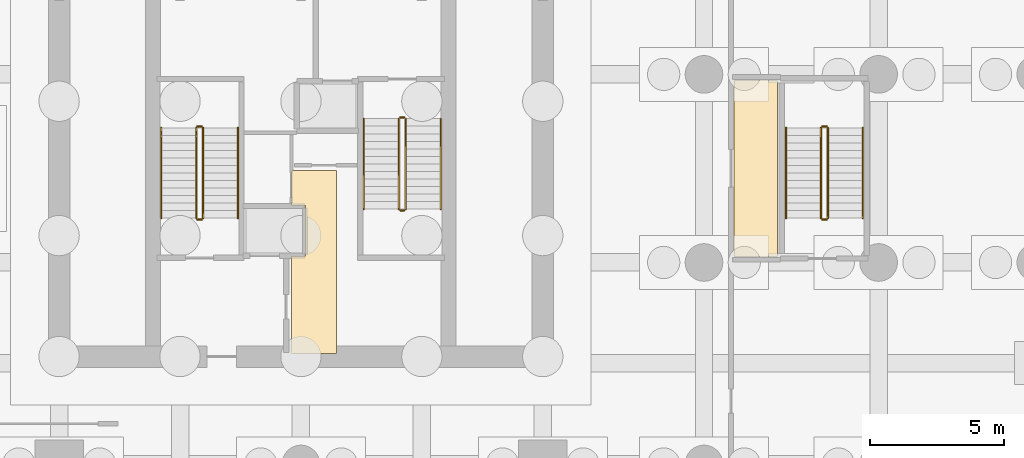
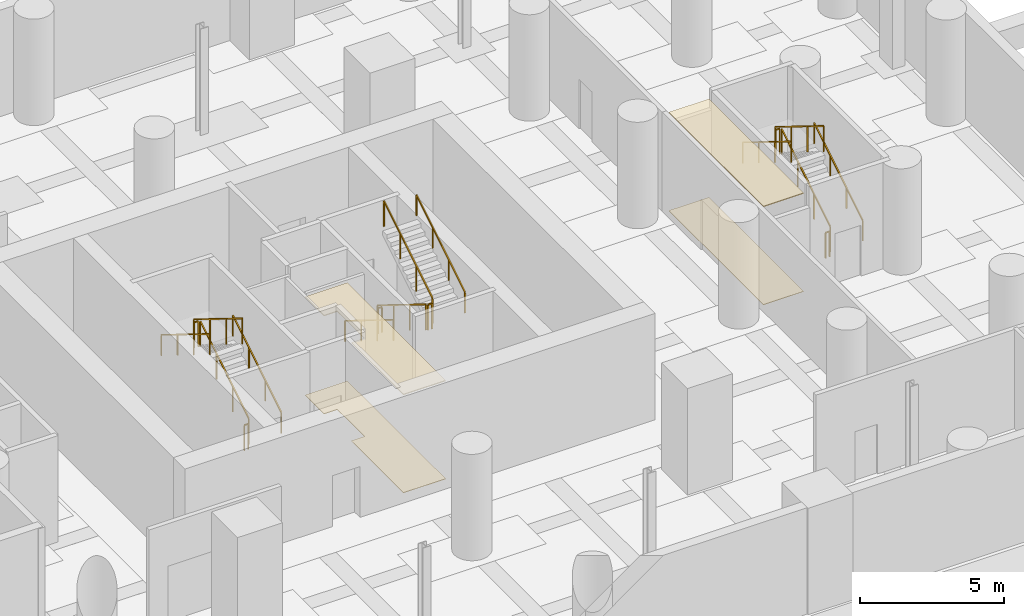
# One storey, part 11 of 12: 18 railings, 4 coverings.
"""IFC4 building model written with IfcOpenShell, lengths in metres."""

from ifc_helpers import new_model, si_unit, direction, frame, origin, origin_2d, place, context, subcontext, project, spatial, polyline, rectangle, outline, extrude, material, layer, layer_set, type_object, element, save


model = new_model("IFC4")

# Units and contexts
model_context = context("Model", 3, precision=1e-05, world=origin(), true_north=direction((0.0, 1.0)))
body_context = subcontext(model_context, "Body", "Model", "MODEL_VIEW")
ifc_project = project(units=[si_unit("LENGTHUNIT", "METRE"), si_unit("AREAUNIT", "SQUARE_METRE"), si_unit("VOLUMEUNIT", "CUBIC_METRE"), si_unit("PLANEANGLEUNIT", "RADIAN"), si_unit("MASSUNIT", "GRAM", prefix="KILO")], contexts=[model_context])

# Site, building, storey
site_placement = place(None, origin())
site = spatial("IfcSite", under=ifc_project, at=site_placement, CompositionType="ELEMENT")
building_placement = place(site_placement, origin())
building = spatial("IfcBuilding", under=site, at=building_placement, Name="Veldorim Arch Residences", CompositionType="ELEMENT")
storey_placement = place(building_placement, frame((0.0, 0.0, -9.0)))
storey = spatial("IfcBuildingStorey", under=building, at=storey_placement, Name="B2", CompositionType="ELEMENT", Elevation=-9.0)

# Railings
ifc_material_1 = material(Name="Steel S355", Category="steel")
railing_type_1 = type_object("IfcRailingType", Name="Galvanised Steel Stair Safety Guardrail 1100", PredefinedType="GUARDRAIL", material=ifc_material_1)
railing_1_placement = place(storey_placement, frame((28.360107421875, 22.14990234375, 0.173095703125)))
element("IfcRailing", 1, at=railing_1_placement, inside=storey, type_object=railing_type_1, Name="B2 ST-1 stair guard 1", PredefinedType="GUARDRAIL", context=body_context, shape_type="SweptSolid", body=[
    extrude(rectangle(XDim=0.048095703125, YDim=0.048095703125, at=origin_2d()), frame((0.0, 0.0, 1.076171875), z_axis=(0.0, 0.850623216509, 0.525775754039), x_axis=(-1.0, 0.0, 0.0)), (0.0, 0.0, 1.0), 3.9501953125),
    extrude(rectangle(XDim=0.0419921875, YDim=0.0419921875, at=origin_2d()), origin(), (0.0, 0.0, 1.0), 1.052001953125),
    extrude(rectangle(XDim=0.0419921875, YDim=0.0419921875, at=origin_2d()), frame((0.0, 1.1201171875, 0.6923828125)), (0.0, 0.0, 1.0), 1.052001953125),
    extrude(rectangle(XDim=0.0419921875, YDim=0.0419921875, at=origin_2d()), frame((0.0, 2.239990234375, 1.384521484375)), (0.0, 0.0, 1.0), 1.052001953125),
    extrude(rectangle(XDim=0.0419921875, YDim=0.0419921875, at=origin_2d()), frame((0.0, 3.360107421875, 2.076904296875)), (0.0, 0.0, 1.0), 1.052001953125),
])
railing_2_placement = place(storey_placement, frame((28.31005859375, 25.56005859375, 2.25)))
element("IfcRailing", 2, at=railing_2_placement, inside=storey, type_object=railing_type_1, Name="B2 ST-1 stair guard 2", PredefinedType="GUARDRAIL", context=body_context, shape_type="SweptSolid", body=[
    extrude(rectangle(XDim=0.048095703125, YDim=0.048095703125, at=origin_2d()), frame((0.0, 0.0, 1.076171875), z_axis=(-1.0, 0.0, 0.0), x_axis=(0.0, -1.0, 0.0)), (0.0, 0.0, 1.0), 0.16015625),
    extrude(rectangle(XDim=0.0419921875, YDim=0.0419921875, at=origin_2d()), origin(), (0.0, 0.0, 1.0), 1.052001953125),
    extrude(rectangle(XDim=0.0419921875, YDim=0.0419921875, at=origin_2d()), frame((-0.16015625, 0.0, 0.0)), (0.0, 0.0, 1.0), 1.052001953125),
])
railing_3_placement = place(storey_placement, frame((28.10009765625, 25.510009765625, 2.423095703125)))
element("IfcRailing", 3, at=railing_3_placement, inside=storey, type_object=railing_type_1, Name="B2 ST-1 stair guard 3", PredefinedType="GUARDRAIL", context=body_context, shape_type="SweptSolid", body=[
    extrude(rectangle(XDim=0.048095703125, YDim=0.048095703125, at=origin_2d()), frame((0.0, 0.0, 1.076171875), z_axis=(0.0, -0.850623216509, 0.525775754039), x_axis=(1.0, 0.0, 0.0)), (0.0, 0.0, 1.0), 3.9501953125),
    extrude(rectangle(XDim=0.0419921875, YDim=0.0419921875, at=origin_2d()), origin(), (0.0, 0.0, 1.0), 1.052001953125),
    extrude(rectangle(XDim=0.0419921875, YDim=0.0419921875, at=origin_2d()), frame((0.0, -1.1201171875, 0.6923828125)), (0.0, 0.0, 1.0), 1.052001953125),
    extrude(rectangle(XDim=0.0419921875, YDim=0.0419921875, at=origin_2d()), frame((0.0, -2.239990234375, 1.384521484375)), (0.0, 0.0, 1.0), 1.052001953125),
    extrude(rectangle(XDim=0.0419921875, YDim=0.0419921875, at=origin_2d()), frame((0.0, -3.360107421875, 2.076904296875)), (0.0, 0.0, 1.0), 1.052001953125),
])
railing_4_placement = place(storey_placement, frame((28.31005859375, 22.10009765625, 0.0)))
element("IfcRailing", 4, at=railing_4_placement, inside=storey, type_object=railing_type_1, Name="B2 ST-1 stair guard 4", PredefinedType="GUARDRAIL", context=body_context, shape_type="SweptSolid", body=[
    extrude(rectangle(XDim=0.048095703125, YDim=0.048095703125, at=origin_2d()), frame((0.0, 0.0, 1.076171875), z_axis=(-1.0, 0.0, 0.0), x_axis=(0.0, -1.0, 0.0)), (0.0, 0.0, 1.0), 0.16015625),
    extrude(rectangle(XDim=0.0419921875, YDim=0.0419921875, at=origin_2d()), origin(), (0.0, 0.0, 1.0), 1.052001953125),
    extrude(rectangle(XDim=0.0419921875, YDim=0.0419921875, at=origin_2d()), frame((-0.16015625, 0.0, 0.0)), (0.0, 0.0, 1.0), 1.052001953125),
])
railing_5_placement = place(storey_placement, frame((35.639892578125, 25.85009765625, 0.173095703125)))
element("IfcRailing", 5, at=railing_5_placement, inside=storey, type_object=railing_type_1, Name="B2 ST-2 stair guard 1", PredefinedType="GUARDRAIL", context=body_context, shape_type="SweptSolid", body=[
    extrude(rectangle(XDim=0.048095703125, YDim=0.048095703125, at=origin_2d()), frame((0.0, 0.0, 1.076171875), z_axis=(0.0, -0.850623216509, 0.525775754039), x_axis=(1.0, 0.0, 0.0)), (0.0, 0.0, 1.0), 3.9501953125),
    extrude(rectangle(XDim=0.0419921875, YDim=0.0419921875, at=origin_2d()), origin(), (0.0, 0.0, 1.0), 1.052001953125),
    extrude(rectangle(XDim=0.0419921875, YDim=0.0419921875, at=origin_2d()), frame((0.0, -1.1201171875, 0.6923828125)), (0.0, 0.0, 1.0), 1.052001953125),
    extrude(rectangle(XDim=0.0419921875, YDim=0.0419921875, at=origin_2d()), frame((0.0, -2.239990234375, 1.384521484375)), (0.0, 0.0, 1.0), 1.052001953125),
    extrude(rectangle(XDim=0.0419921875, YDim=0.0419921875, at=origin_2d()), frame((0.0, -3.360107421875, 2.076904296875)), (0.0, 0.0, 1.0), 1.052001953125),
])
railing_6_placement = place(storey_placement, frame((35.68994140625, 22.43994140625, 2.25)))
element("IfcRailing", 6, at=railing_6_placement, inside=storey, type_object=railing_type_1, Name="B2 ST-2 stair guard 2", PredefinedType="GUARDRAIL", context=body_context, shape_type="SweptSolid", body=[
    extrude(rectangle(XDim=0.048095703125, YDim=0.048095703125, at=origin_2d()), frame((0.0, 0.0, 1.076171875), z_axis=(1.0, 0.0, 0.0), x_axis=(0.0, 1.0, 0.0)), (0.0, 0.0, 1.0), 0.16015625),
    extrude(rectangle(XDim=0.0419921875, YDim=0.0419921875, at=origin_2d()), origin(), (0.0, 0.0, 1.0), 1.052001953125),
    extrude(rectangle(XDim=0.0419921875, YDim=0.0419921875, at=origin_2d()), frame((0.16015625, 0.0, 0.0)), (0.0, 0.0, 1.0), 1.052001953125),
])
railing_7_placement = place(storey_placement, frame((35.89990234375, 22.489990234375, 2.423095703125)))
element("IfcRailing", 7, at=railing_7_placement, inside=storey, type_object=railing_type_1, Name="B2 ST-2 stair guard 3", PredefinedType="GUARDRAIL", context=body_context, shape_type="SweptSolid", body=[
    extrude(rectangle(XDim=0.048095703125, YDim=0.048095703125, at=origin_2d()), frame((0.0, 0.0, 1.076171875), z_axis=(0.0, 0.850623216509, 0.525775754039), x_axis=(-1.0, 0.0, 0.0)), (0.0, 0.0, 1.0), 3.9501953125),
    extrude(rectangle(XDim=0.0419921875, YDim=0.0419921875, at=origin_2d()), origin(), (0.0, 0.0, 1.0), 1.052001953125),
    extrude(rectangle(XDim=0.0419921875, YDim=0.0419921875, at=origin_2d()), frame((0.0, 1.1201171875, 0.6923828125)), (0.0, 0.0, 1.0), 1.052001953125),
    extrude(rectangle(XDim=0.0419921875, YDim=0.0419921875, at=origin_2d()), frame((0.0, 2.239990234375, 1.384521484375)), (0.0, 0.0, 1.0), 1.052001953125),
    extrude(rectangle(XDim=0.0419921875, YDim=0.0419921875, at=origin_2d()), frame((0.0, 3.360107421875, 2.076904296875)), (0.0, 0.0, 1.0), 1.052001953125),
])
railing_8_placement = place(storey_placement, frame((35.68994140625, 25.89990234375, 0.0)))
element("IfcRailing", 8, at=railing_8_placement, inside=storey, type_object=railing_type_1, Name="B2 ST-2 stair guard 4", PredefinedType="GUARDRAIL", context=body_context, shape_type="SweptSolid", body=[
    extrude(rectangle(XDim=0.048095703125, YDim=0.048095703125, at=origin_2d()), frame((0.0, 0.0, 1.076171875), z_axis=(1.0, 0.0, 0.0), x_axis=(0.0, 1.0, 0.0)), (0.0, 0.0, 1.0), 0.16015625),
    extrude(rectangle(XDim=0.0419921875, YDim=0.0419921875, at=origin_2d()), origin(), (0.0, 0.0, 1.0), 1.052001953125),
    extrude(rectangle(XDim=0.0419921875, YDim=0.0419921875, at=origin_2d()), frame((0.16015625, 0.0, 0.0)), (0.0, 0.0, 1.0), 1.052001953125),
])
railing_9_placement = place(storey_placement, frame((51.610107421875, 22.14990234375, 0.173095703125)))
element("IfcRailing", 9, at=railing_9_placement, inside=storey, type_object=railing_type_1, Name="B2 ST-3 stair guard 1", PredefinedType="GUARDRAIL", context=body_context, shape_type="SweptSolid", body=[
    extrude(rectangle(XDim=0.048095703125, YDim=0.048095703125, at=origin_2d()), frame((0.0, 0.0, 1.076171875), z_axis=(0.0, 0.850623216509, 0.525775754039), x_axis=(-1.0, 0.0, 0.0)), (0.0, 0.0, 1.0), 3.9501953125),
    extrude(rectangle(XDim=0.0419921875, YDim=0.0419921875, at=origin_2d()), origin(), (0.0, 0.0, 1.0), 1.052001953125),
    extrude(rectangle(XDim=0.0419921875, YDim=0.0419921875, at=origin_2d()), frame((0.0, 1.1201171875, 0.6923828125)), (0.0, 0.0, 1.0), 1.052001953125),
    extrude(rectangle(XDim=0.0419921875, YDim=0.0419921875, at=origin_2d()), frame((0.0, 2.239990234375, 1.384521484375)), (0.0, 0.0, 1.0), 1.052001953125),
    extrude(rectangle(XDim=0.0419921875, YDim=0.0419921875, at=origin_2d()), frame((0.0, 3.360107421875, 2.076904296875)), (0.0, 0.0, 1.0), 1.052001953125),
])
railing_10_placement = place(storey_placement, frame((51.56005859375, 25.56005859375, 2.25)))
element("IfcRailing", 10, at=railing_10_placement, inside=storey, type_object=railing_type_1, Name="B2 ST-3 stair guard 2", PredefinedType="GUARDRAIL", context=body_context, shape_type="SweptSolid", body=[
    extrude(rectangle(XDim=0.048095703125, YDim=0.048095703125, at=origin_2d()), frame((0.0, 0.0, 1.076171875), z_axis=(-1.0, 0.0, 0.0), x_axis=(0.0, -1.0, 0.0)), (0.0, 0.0, 1.0), 0.16015625),
    extrude(rectangle(XDim=0.0419921875, YDim=0.0419921875, at=origin_2d()), origin(), (0.0, 0.0, 1.0), 1.052001953125),
    extrude(rectangle(XDim=0.0419921875, YDim=0.0419921875, at=origin_2d()), frame((-0.16015625, 0.0, 0.0)), (0.0, 0.0, 1.0), 1.052001953125),
])
railing_11_placement = place(storey_placement, frame((51.35009765625, 25.510009765625, 2.423095703125)))
element("IfcRailing", 11, at=railing_11_placement, inside=storey, type_object=railing_type_1, Name="B2 ST-3 stair guard 3", PredefinedType="GUARDRAIL", context=body_context, shape_type="SweptSolid", body=[
    extrude(rectangle(XDim=0.048095703125, YDim=0.048095703125, at=origin_2d()), frame((0.0, 0.0, 1.076171875), z_axis=(0.0, -0.850623216509, 0.525775754039), x_axis=(1.0, 0.0, 0.0)), (0.0, 0.0, 1.0), 3.9501953125),
    extrude(rectangle(XDim=0.0419921875, YDim=0.0419921875, at=origin_2d()), origin(), (0.0, 0.0, 1.0), 1.052001953125),
    extrude(rectangle(XDim=0.0419921875, YDim=0.0419921875, at=origin_2d()), frame((0.0, -1.1201171875, 0.6923828125)), (0.0, 0.0, 1.0), 1.052001953125),
    extrude(rectangle(XDim=0.0419921875, YDim=0.0419921875, at=origin_2d()), frame((0.0, -2.239990234375, 1.384521484375)), (0.0, 0.0, 1.0), 1.052001953125),
    extrude(rectangle(XDim=0.0419921875, YDim=0.0419921875, at=origin_2d()), frame((0.0, -3.360107421875, 2.076904296875)), (0.0, 0.0, 1.0), 1.052001953125),
])
railing_12_placement = place(storey_placement, frame((51.56005859375, 22.10009765625, 0.0)))
element("IfcRailing", 12, at=railing_12_placement, inside=storey, type_object=railing_type_1, Name="B2 ST-3 stair guard 4", PredefinedType="GUARDRAIL", context=body_context, shape_type="SweptSolid", body=[
    extrude(rectangle(XDim=0.048095703125, YDim=0.048095703125, at=origin_2d()), frame((0.0, 0.0, 1.076171875), z_axis=(-1.0, 0.0, 0.0), x_axis=(0.0, -1.0, 0.0)), (0.0, 0.0, 1.0), 0.16015625),
    extrude(rectangle(XDim=0.0419921875, YDim=0.0419921875, at=origin_2d()), origin(), (0.0, 0.0, 1.0), 1.052001953125),
    extrude(rectangle(XDim=0.0419921875, YDim=0.0419921875, at=origin_2d()), frame((-0.16015625, 0.0, 0.0)), (0.0, 0.0, 1.0), 1.052001953125),
])

# Coverings
ifc_material_2 = material(Name="Acoustic Gypsum & Mineral Fibre", Category="gypsum")
ifc_layer_1 = layer(ifc_material_2, 0.034912109375, Name="Perforated Acoustic Mineral-Fibre Ceiling 35")
ifc_layer_set_1 = layer_set([ifc_layer_1], Name="Acoustic Gypsum & Mineral Fibre")
covering_type_1 = type_object("IfcCoveringType", Name="Perforated Acoustic Mineral-Fibre Ceiling 35", PredefinedType="CEILING", material=ifc_layer_set_1)
covering_1_placement = place(storey_placement, frame((0.0, 0.0, 4.14501953125)))
element("IfcCovering", 13, at=covering_1_placement, inside=storey, type_object=covering_type_1, Name="B2 acoustic suspended ceiling 01", PredefinedType="CEILING", context=body_context, shape_type="SweptSolid", body=[
    extrude(outline(polyline([(33.330078125, 23.929931640625), (33.330078125, 17.1201171875), (31.639892578125, 17.1201171875), (31.639892578125, 20.735107421875), (32.169921875, 20.735107421875), (32.169921875, 22.625), (31.639892578125, 22.625), (31.639892578125, 23.929931640625), (33.330078125, 23.929931640625)])), origin(), (0.0, 0.0, 1.0), 0.034912109375),
])
covering_2_placement = place(storey_placement, frame((0.0, 0.0, 4.14501953125)))
element("IfcCovering", 14, at=covering_2_placement, inside=storey, type_object=covering_type_1, Name="B2 acoustic suspended ceiling 02", PredefinedType="CEILING", context=body_context, shape_type="SweptSolid", body=[
    extrude(outline(polyline([(49.72998046875, 20.719970703125), (48.1201171875, 20.719970703125), (48.1201171875, 27.280029296875), (49.72998046875, 27.280029296875), (49.72998046875, 20.719970703125)])), origin(), (0.0, 0.0, 1.0), 0.034912109375),
])
ifc_material_3 = material(Name="Porcelain Ceramic Tile", Category="ceramic")
ifc_layer_2 = layer(ifc_material_3, 0.02001953125, Name="Slip-Resistant Porcelain & Vinyl Floor Finish 20")
ifc_layer_set_2 = layer_set([ifc_layer_2], Name="Porcelain Ceramic Tile")
covering_type_2 = type_object("IfcCoveringType", Name="Slip-Resistant Porcelain & Vinyl Floor Finish 20", PredefinedType="FLOORING", material=ifc_layer_set_2)
covering_3_placement = place(storey_placement, origin())
element("IfcCovering", 15, at=covering_3_placement, inside=storey, type_object=covering_type_2, Name="B2 porcelain floor finish 01", PredefinedType="FLOORING", context=body_context, shape_type="SweptSolid", body=[
    extrude(outline(polyline([(33.330078125, 23.929931640625), (33.330078125, 17.1201171875), (31.639892578125, 17.1201171875), (31.639892578125, 20.735107421875), (32.169921875, 20.735107421875), (32.169921875, 22.625), (31.639892578125, 22.625), (31.639892578125, 23.929931640625), (33.330078125, 23.929931640625)])), origin(), (0.0, 0.0, 1.0), 0.02001953125),
])
covering_4_placement = place(storey_placement, origin())
element("IfcCovering", 16, at=covering_4_placement, inside=storey, type_object=covering_type_2, Name="B2 porcelain floor finish 02", PredefinedType="FLOORING", context=body_context, shape_type="SweptSolid", body=[
    extrude(outline(polyline([(49.72998046875, 20.719970703125), (48.1201171875, 20.719970703125), (48.1201171875, 27.280029296875), (49.72998046875, 27.280029296875), (49.72998046875, 20.719970703125)])), origin(), (0.0, 0.0, 1.0), 0.02001953125),
])

# Railings
ifc_material_4 = material(Name="Stainless Steel", Category="steel")
railing_type_2 = type_object("IfcRailingType", Name="Tubular Steel Continuous Wall Handrail 900", PredefinedType="HANDRAIL", material=ifc_material_4)
railing_13_placement = place(storey_placement, frame((29.659912109375, 22.14990234375, 0.173095703125)))
element("IfcRailing", 17, at=railing_13_placement, inside=storey, type_object=railing_type_2, Name="B2 ST-1 stair handrail 1", PredefinedType="HANDRAIL", context=body_context, shape_type="SweptSolid", body=[
    extrude(rectangle(XDim=0.048095703125, YDim=0.048095703125, at=origin_2d()), frame((0.0, 0.0, 0.8759765625), z_axis=(0.0, 0.850623216509, 0.525775754039), x_axis=(-1.0, 0.0, 0.0)), (0.0, 0.0, 1.0), 3.9501953125),
    extrude(rectangle(XDim=0.0419921875, YDim=0.0419921875, at=origin_2d()), origin(), (0.0, 0.0, 1.0), 0.851806640625),
    extrude(rectangle(XDim=0.0419921875, YDim=0.0419921875, at=origin_2d()), frame((0.0, 1.1201171875, 0.6923828125)), (0.0, 0.0, 1.0), 0.851806640625),
    extrude(rectangle(XDim=0.0419921875, YDim=0.0419921875, at=origin_2d()), frame((0.0, 2.239990234375, 1.384521484375)), (0.0, 0.0, 1.0), 0.851806640625),
    extrude(rectangle(XDim=0.0419921875, YDim=0.0419921875, at=origin_2d()), frame((0.0, 3.360107421875, 2.076904296875)), (0.0, 0.0, 1.0), 0.851806640625),
])
for number, where, name in (
    (18, (26.800048828125, 25.510009765625, 2.423095703125), "B2 ST-1 stair handrail 2"),
    (19, (34.340087890625, 25.85009765625, 0.173095703125), "B2 ST-2 stair handrail 1"),
):
    element("IfcRailing", number, at=place(storey_placement, frame(where)), inside=storey, type_object=railing_type_2, Name=name, PredefinedType="HANDRAIL", context=body_context, shape_type="SweptSolid", body=[
        extrude(rectangle(XDim=0.048095703125, YDim=0.048095703125, at=origin_2d()), frame((0.0, 0.0, 0.8759765625), z_axis=(0.0, -0.850623216509, 0.525775754039), x_axis=(1.0, 0.0, 0.0)), (0.0, 0.0, 1.0), 3.9501953125),
        extrude(rectangle(XDim=0.0419921875, YDim=0.0419921875, at=origin_2d()), origin(), (0.0, 0.0, 1.0), 0.851806640625),
        extrude(rectangle(XDim=0.0419921875, YDim=0.0419921875, at=origin_2d()), frame((0.0, -1.1201171875, 0.6923828125)), (0.0, 0.0, 1.0), 0.851806640625),
        extrude(rectangle(XDim=0.0419921875, YDim=0.0419921875, at=origin_2d()), frame((0.0, -2.239990234375, 1.384521484375)), (0.0, 0.0, 1.0), 0.851806640625),
        extrude(rectangle(XDim=0.0419921875, YDim=0.0419921875, at=origin_2d()), frame((0.0, -3.360107421875, 2.076904296875)), (0.0, 0.0, 1.0), 0.851806640625),
    ])
for number, where, name in (
    (20, (37.199951171875, 22.489990234375, 2.423095703125), "B2 ST-2 stair handrail 2"),
    (21, (52.909912109375, 22.14990234375, 0.173095703125), "B2 ST-3 stair handrail 1"),
):
    element("IfcRailing", number, at=place(storey_placement, frame(where)), inside=storey, type_object=railing_type_2, Name=name, PredefinedType="HANDRAIL", context=body_context, shape_type="SweptSolid", body=[
        extrude(rectangle(XDim=0.048095703125, YDim=0.048095703125, at=origin_2d()), frame((0.0, 0.0, 0.8759765625), z_axis=(0.0, 0.850623216509, 0.525775754039), x_axis=(-1.0, 0.0, 0.0)), (0.0, 0.0, 1.0), 3.9501953125),
        extrude(rectangle(XDim=0.0419921875, YDim=0.0419921875, at=origin_2d()), origin(), (0.0, 0.0, 1.0), 0.851806640625),
        extrude(rectangle(XDim=0.0419921875, YDim=0.0419921875, at=origin_2d()), frame((0.0, 1.1201171875, 0.6923828125)), (0.0, 0.0, 1.0), 0.851806640625),
        extrude(rectangle(XDim=0.0419921875, YDim=0.0419921875, at=origin_2d()), frame((0.0, 2.239990234375, 1.384521484375)), (0.0, 0.0, 1.0), 0.851806640625),
        extrude(rectangle(XDim=0.0419921875, YDim=0.0419921875, at=origin_2d()), frame((0.0, 3.360107421875, 2.076904296875)), (0.0, 0.0, 1.0), 0.851806640625),
    ])
railing_14_placement = place(storey_placement, frame((50.050048828125, 25.510009765625, 2.423095703125)))
element("IfcRailing", 22, at=railing_14_placement, inside=storey, type_object=railing_type_2, Name="B2 ST-3 stair handrail 2", PredefinedType="HANDRAIL", context=body_context, shape_type="SweptSolid", body=[
    extrude(rectangle(XDim=0.048095703125, YDim=0.048095703125, at=origin_2d()), frame((0.0, 0.0, 0.8759765625), z_axis=(0.0, -0.850623216509, 0.525775754039), x_axis=(1.0, 0.0, 0.0)), (0.0, 0.0, 1.0), 3.9501953125),
    extrude(rectangle(XDim=0.0419921875, YDim=0.0419921875, at=origin_2d()), origin(), (0.0, 0.0, 1.0), 0.851806640625),
    extrude(rectangle(XDim=0.0419921875, YDim=0.0419921875, at=origin_2d()), frame((0.0, -1.1201171875, 0.6923828125)), (0.0, 0.0, 1.0), 0.851806640625),
    extrude(rectangle(XDim=0.0419921875, YDim=0.0419921875, at=origin_2d()), frame((0.0, -2.239990234375, 1.384521484375)), (0.0, 0.0, 1.0), 0.851806640625),
    extrude(rectangle(XDim=0.0419921875, YDim=0.0419921875, at=origin_2d()), frame((0.0, -3.360107421875, 2.076904296875)), (0.0, 0.0, 1.0), 0.851806640625),
])

save(model, "model.ifc")
